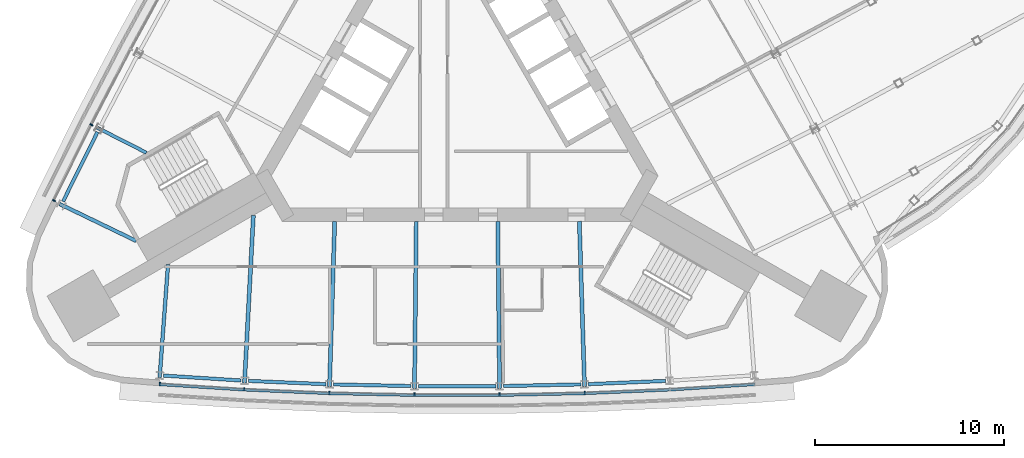
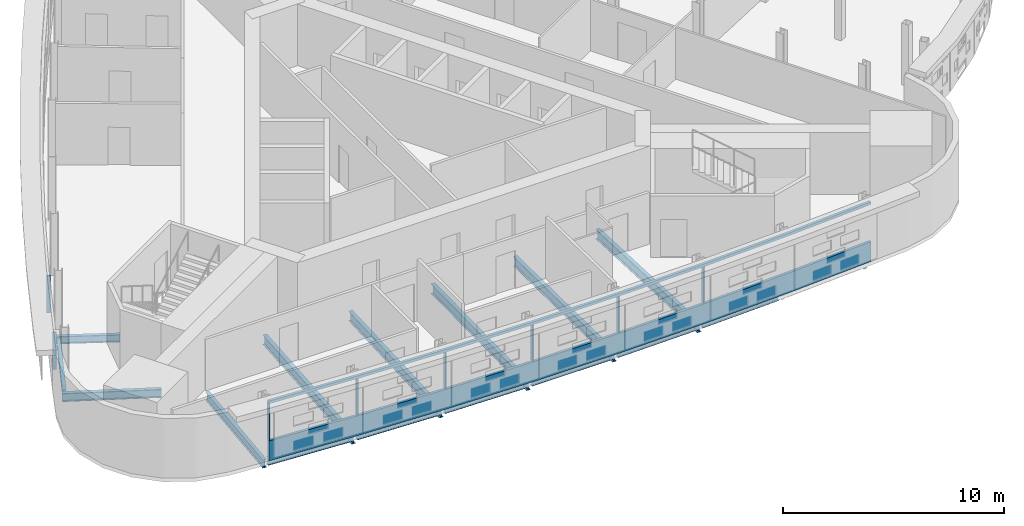
# One storey, part 4 of 15: 15 beams, 10 members, 2 elements without a shape of their own.
"""IFC4 building model written with IfcOpenShell, lengths in metres."""

from ifc_helpers import new_model, si_unit, direction, frame, origin, origin_2d, place, context, subcontext, project, spatial, polyline, rectangle, i_section, outline, extrude, material, material_profile, profile_set, type_object, element, aggregate, save


model = new_model("IFC4")

# Units and contexts
model_context = context("Model", 3, precision=1e-05, world=origin(), true_north=direction((0.0, 1.0)))
body_context = subcontext(model_context, "Body", "Model", "MODEL_VIEW")
ifc_project = project(units=[si_unit("LENGTHUNIT", "METRE"), si_unit("AREAUNIT", "SQUARE_METRE"), si_unit("VOLUMEUNIT", "CUBIC_METRE"), si_unit("PLANEANGLEUNIT", "RADIAN"), si_unit("MASSUNIT", "GRAM", prefix="KILO")], contexts=[model_context])

# Site, building, storey
site_placement = place(None, origin())
site = spatial("IfcSite", under=ifc_project, at=site_placement, CompositionType="ELEMENT")
building_placement = place(site_placement, origin())
building = spatial("IfcBuilding", under=site, at=building_placement, Name="Noor Cloister Tower", CompositionType="ELEMENT")
storey_placement = place(building_placement, frame((0.0, 0.0, 177.89990234375)))
storey = spatial("IfcBuildingStorey", under=building, at=storey_placement, Name="L45", CompositionType="ELEMENT", Elevation=177.89990234375)

# Curtain wall, member
ifc_material_1 = material(Name="Aluminium 6063-T6 anodised", Category="aluminium")
curtain_wall_type = type_object("IfcCurtainWallType", Name="Ribbon curtain wall, upper tower CW5", PredefinedType="NOTDEFINED", material=ifc_material_1)
curtain_wall_1_placement = place(storey_placement, origin())
curtain_wall_1 = element("IfcCurtainWall", 1, at=curtain_wall_1_placement, inside=storey, type_object=curtain_wall_type, Name="CW5 L45 S run 2", PredefinedType="NOTDEFINED")
ifc_material_2 = material(Name="Aluminium 6063-T6 anodised", Category="aluminium")
member_type_1 = type_object("IfcMemberType", Name="Head transom CW5 150", PredefinedType="USERDEFINED", material=ifc_material_2)
member_1_placement = place(storey_placement, frame((0.0, 0.0, 3.150146484375)))
member_1 = element("IfcMember", 2, at=member_1_placement, type_object=member_type_1, Name="CW5 head transom", ObjectType="TRANSOM", PredefinedType="USERDEFINED", context=body_context, shape_type="SweptSolid", body=[
    extrude(outline(polyline([(-15.735595703125, -15.611572265625), (-11.24462890625, -15.8974609375), (-6.748779296875, -16.087890625), (-2.25, -16.183349609375), (2.25, -16.183349609375), (6.748779296875, -16.087890625), (11.24462890625, -15.8974609375), (15.735595703125, -15.611572265625), (15.726806640625, -15.471923828125), (11.2373046875, -15.757568359375), (6.744384765625, -15.947998046875), (2.24853515625, -16.043212890625), (-2.24853515625, -16.043212890625), (-6.744384765625, -15.947998046875), (-11.2373046875, -15.757568359375), (-15.726806640625, -15.471923828125), (-15.735595703125, -15.611572265625)])), origin(), (0.0, 0.0, 1.0), 0.14990234375),
])

# Curtain wall, members
curtain_wall_2_placement = place(storey_placement, origin())
curtain_wall_2 = element("IfcCurtainWall", 3, at=curtain_wall_2_placement, inside=storey, type_object=curtain_wall_type, Name="CW5 L45 NW run 1", PredefinedType="NOTDEFINED")
ifc_material_3 = material(Name="Aluminium 6063-T6 anodised", Category="aluminium")
ifc_material_profile_1 = material_profile(ifc_material_3, rectangle(XDim=0.179931640625, YDim=0.070068359375, at=origin_2d()), Name="180 x 70 mullion")
ifc_profile_set_1 = profile_set([ifc_material_profile_1], Name="Aluminium 6063-T6 anodised")
member_type_2 = type_object("IfcMemberType", Name="Mullion CW5 70 x 180", PredefinedType="MULLION", material=ifc_profile_set_1)
member_2_placement = place(storey_placement, frame((-19.30078125, -1.8349609375, 1.10009765625), z_axis=(0.0, 0.0, 1.0), x_axis=(0.891276079341, -0.45346107925, 0.0)))
member_2 = element("IfcMember", 4, at=member_2_placement, type_object=member_type_2, Name="CW5 mullion 7", PredefinedType="MULLION", context=body_context, shape_type="SweptSolid", body=[
    extrude(rectangle(XDim=0.179931640625, YDim=0.070068359375, at=origin_2d()), origin(), (0.0, 0.0, 1.0), 2.050048828125),
])
member_3_placement = place(storey_placement, frame((-21.28271484375, -5.834716796875, 1.10009765625), z_axis=(0.0, 0.0, 1.0), x_axis=(0.89602851952, -0.44399650022, 0.0)))
member_3 = element("IfcMember", 5, at=member_3_placement, type_object=member_type_2, Name="CW5 mullion 8", PredefinedType="MULLION", context=body_context, shape_type="SweptSolid", body=[
    extrude(rectangle(XDim=0.179931640625, YDim=0.070068359375, at=origin_2d()), origin(), (0.0, 0.0, 1.0), 2.050048828125),
])
aggregate(curtain_wall_2, [member_2, member_3])

# Member
member_4_placement = place(storey_placement, frame((-15.6943359375, -15.51416015625, 1.10009765625), z_axis=(0.0, 0.0, 1.0), x_axis=(0.063502011378, 0.997981710529, 0.0)))
member_4 = element("IfcMember", 6, at=member_4_placement, type_object=member_type_2, Name="CW5 mullion 1", PredefinedType="MULLION", context=body_context, shape_type="SweptSolid", body=[
    extrude(rectangle(XDim=0.179931640625, YDim=0.070068359375, at=origin_2d()), origin(), (0.0, 0.0, 1.0), 2.050048828125),
])

member_5_placement = place(storey_placement, frame((-11.239501953125, -15.797607421875, 1.10009765625), z_axis=(0.0, 0.0, 1.0), x_axis=(0.052929225413, 0.99859826612, 0.0)))
member_5 = element("IfcMember", 7, at=member_5_placement, type_object=member_type_2, Name="CW5 mullion 2", PredefinedType="MULLION", context=body_context, shape_type="SweptSolid", body=[
    extrude(rectangle(XDim=0.179931640625, YDim=0.070068359375, at=origin_2d()), origin(), (0.0, 0.0, 1.0), 2.050048828125),
])

member_6_placement = place(storey_placement, frame((-6.74560546875, -15.988037109375, 1.10009765625), z_axis=(0.0, 0.0, 1.0), x_axis=(0.031767047227, 0.999495299994, 0.0)))
member_6 = element("IfcMember", 8, at=member_6_placement, type_object=member_type_2, Name="CW5 mullion 3", PredefinedType="MULLION", context=body_context, shape_type="SweptSolid", body=[
    extrude(rectangle(XDim=0.179931640625, YDim=0.070068359375, at=origin_2d()), origin(), (0.0, 0.0, 1.0), 2.050048828125),
])

member_7_placement = place(storey_placement, frame((-2.248779296875, -16.083251953125, 1.10009765625), z_axis=(0.0, 0.0, 1.0), x_axis=(0.010590599542, 0.999943918028, 0.0)))
member_7 = element("IfcMember", 9, at=member_7_placement, type_object=member_type_2, Name="CW5 mullion 4", PredefinedType="MULLION", context=body_context, shape_type="SweptSolid", body=[
    extrude(rectangle(XDim=0.179931640625, YDim=0.070068359375, at=origin_2d()), origin(), (0.0, 0.0, 1.0), 2.050048828125),
])

member_8_placement = place(storey_placement, frame((2.248779296875, -16.083251953125, 1.10009765625), z_axis=(0.0, 0.0, 1.0), x_axis=(-0.010590599542, 0.999943918028, 0.0)))
member_8 = element("IfcMember", 10, at=member_8_placement, type_object=member_type_2, Name="CW5 mullion 5", PredefinedType="MULLION", context=body_context, shape_type="SweptSolid", body=[
    extrude(rectangle(XDim=0.179931640625, YDim=0.070068359375, at=origin_2d()), origin(), (0.0, 0.0, 1.0), 2.050048828125),
])

member_9_placement = place(storey_placement, frame((6.74560546875, -15.988037109375, 1.10009765625), z_axis=(0.0, 0.0, 1.0), x_axis=(-0.031767047227, 0.999495299994, 0.0)))
member_9 = element("IfcMember", 11, at=member_9_placement, type_object=member_type_2, Name="CW5 mullion 6", PredefinedType="MULLION", context=body_context, shape_type="SweptSolid", body=[
    extrude(rectangle(XDim=0.179931640625, YDim=0.070068359375, at=origin_2d()), origin(), (0.0, 0.0, 1.0), 2.050048828125),
])

# Beams
ifc_material_4 = material(Name="Steel ASTM A992 Gr 50", Category="steel")
ifc_material_profile_2 = material_profile(ifc_material_4, i_section(OverallWidth=0.177978515625, OverallDepth=0.406005859375, WebThickness=0.0078125, FlangeThickness=0.0126953125, FilletRadius=0.01025390625, at=origin_2d()), Name="W410x60")
ifc_profile_set_2 = profile_set([ifc_material_profile_2], Name="Steel ASTM A992 Gr 50")
beam_type_1 = type_object("IfcBeamType", Name="Radial beam W410x60", PredefinedType="BEAM", material=ifc_profile_set_2)
beam_1_placement = place(storey_placement, frame((-18.99951171875, -1.988037109375, -0.40283203125), z_axis=(0.891237027529, -0.453537827267, 0.0), x_axis=(0.453537827267, 0.891237027529, 0.0)))
element("IfcBeam", 12, at=beam_1_placement, inside=storey, type_object=beam_type_1, Name="Radial beam NW 07 L45", PredefinedType="BEAM", context=body_context, shape_type="SweptSolid", body=[
    extrude(i_section(OverallWidth=0.177978515625, OverallDepth=0.406005859375, WebThickness=0.0078125, FlangeThickness=0.0126953125, FilletRadius=0.01025390625, at=origin_2d()), origin(), (0.0, 0.0, 1.0), 2.913330078125),
])
ifc_material_5 = material(Name="Steel ASTM A992 Gr 50", Category="steel")
ifc_material_profile_3 = material_profile(ifc_material_5, i_section(OverallWidth=0.19091796875, OverallDepth=0.45703125, WebThickness=0.009033203125, FlangeThickness=0.014404296875, FilletRadius=0.01025390625, at=origin_2d()), Name="W460x74")
ifc_profile_set_3 = profile_set([ifc_material_profile_3], Name="Steel ASTM A992 Gr 50")
beam_type_2 = type_object("IfcBeamType", Name="Radial beam W460x74", PredefinedType="BEAM", material=ifc_profile_set_3)
beam_2_placement = place(storey_placement, frame((-20.993408203125, -6.011962890625, -0.428466796875), z_axis=(0.900690144497, -0.434462039315, 0.0), x_axis=(0.434462039315, 0.900690144497, 0.0)))
element("IfcBeam", 13, at=beam_2_placement, inside=storey, type_object=beam_type_2, Name="Radial beam NW 08 L45", PredefinedType="BEAM", context=body_context, shape_type="SweptSolid", body=[
    extrude(i_section(OverallWidth=0.19091796875, OverallDepth=0.45703125, WebThickness=0.009033203125, FlangeThickness=0.014404296875, FilletRadius=0.01025390625, at=origin_2d()), origin(), (0.0, 0.0, 1.0), 4.49609375),
])
beam_3_placement = place(storey_placement, frame((-15.703125, -15.1748046875, -0.428466796875), z_axis=(0.074062786388, 0.997253580426, 0.0), x_axis=(-0.997253580426, 0.074062786388, 0.0)))
element("IfcBeam", 14, at=beam_3_placement, inside=storey, type_object=beam_type_2, Name="Radial beam S 01 L45", PredefinedType="BEAM", context=body_context, shape_type="SweptSolid", body=[
    extrude(i_section(OverallWidth=0.19091796875, OverallDepth=0.45703125, WebThickness=0.009033203125, FlangeThickness=0.014404296875, FilletRadius=0.01025390625, at=origin_2d()), origin(), (0.0, 0.0, 1.0), 5.976318359375),
])
ifc_material_6 = material(Name="Steel ASTM A992 Gr 50", Category="steel")
ifc_material_profile_4 = material_profile(ifc_material_6, i_section(OverallWidth=0.208984375, OverallDepth=0.532958984375, WebThickness=0.01025390625, FlangeThickness=0.015625, FilletRadius=0.0126953125, at=origin_2d()), Name="W530x92")
ifc_profile_set_4 = profile_set([ifc_material_profile_4], Name="Steel ASTM A992 Gr 50")
beam_type_3 = type_object("IfcBeamType", Name="Radial beam W530x92", PredefinedType="BEAM", material=ifc_profile_set_4)
beam_4_placement = place(storey_placement, frame((-11.2216796875, -15.4599609375, -0.46630859375), z_axis=(0.052931955279, 0.998598121423, 0.0), x_axis=(-0.998598121423, 0.052931955279, 0.0)))
element("IfcBeam", 15, at=beam_4_placement, inside=storey, type_object=beam_type_3, Name="Radial beam S 02 L45", PredefinedType="BEAM", context=body_context, shape_type="SweptSolid", body=[
    extrude(i_section(OverallWidth=0.208984375, OverallDepth=0.532958984375, WebThickness=0.01025390625, FlangeThickness=0.015625, FilletRadius=0.0126953125, at=origin_2d()), origin(), (0.0, 0.0, 1.0), 8.8603515625),
])
beam_5_placement = place(storey_placement, frame((-6.73486328125, -15.650146484375, -0.46630859375), z_axis=(0.031754447024, 0.999495700388, 0.0), x_axis=(-0.999495700388, 0.031754447024, 0.0)))
element("IfcBeam", 16, at=beam_5_placement, inside=storey, type_object=beam_type_3, Name="Radial beam S 03 L45", PredefinedType="BEAM", context=body_context, shape_type="SweptSolid", body=[
    extrude(i_section(OverallWidth=0.208984375, OverallDepth=0.532958984375, WebThickness=0.01025390625, FlangeThickness=0.015625, FilletRadius=0.0126953125, at=origin_2d()), origin(), (0.0, 0.0, 1.0), 8.726318359375),
])
for number, where, z_axis, x_axis, name in (
    (17, (-2.245361328125, -15.745361328125, -0.46630859375), (0.010604415465, 0.999943771606, 0.0), (-0.999943771606, 0.010604415465, 0.0), "Radial beam S 04 L45"),
    (18, (2.245361328125, -15.745361328125, -0.46630859375), (-0.010604415465, 0.999943771606, 0.0), (-0.999943771606, -0.010604415465, 0.0), "Radial beam S 05 L45"),
):
    element("IfcBeam", number, at=place(storey_placement, frame(where, z_axis=z_axis, x_axis=x_axis)), inside=storey, type_object=beam_type_3, Name=name, PredefinedType="BEAM", context=body_context, shape_type="SweptSolid", body=[
        extrude(i_section(OverallWidth=0.208984375, OverallDepth=0.532958984375, WebThickness=0.01025390625, FlangeThickness=0.015625, FilletRadius=0.0126953125, at=origin_2d()), origin(), (0.0, 0.0, 1.0), 8.817626953125),
    ])
beam_6_placement = place(storey_placement, frame((6.73486328125, -15.650146484375, -0.46630859375), z_axis=(-0.031754447024, 0.999495700388, 0.0), x_axis=(-0.999495700388, -0.031754447024, 0.0)))
element("IfcBeam", 19, at=beam_6_placement, inside=storey, type_object=beam_type_3, Name="Radial beam S 06 L45", PredefinedType="BEAM", context=body_context, shape_type="SweptSolid", body=[
    extrude(i_section(OverallWidth=0.208984375, OverallDepth=0.532958984375, WebThickness=0.01025390625, FlangeThickness=0.015625, FilletRadius=0.0126953125, at=origin_2d()), origin(), (0.0, 0.0, 1.0), 8.726318359375),
])

# Member
ifc_material_7 = material(Name="Aluminium 6063-T6 anodised", Category="aluminium")
member_type_3 = type_object("IfcMemberType", Name="Sill transom CW5 1100", PredefinedType="USERDEFINED", material=ifc_material_7)
member_10_placement = place(storey_placement, origin())
member_10 = element("IfcMember", 20, at=member_10_placement, type_object=member_type_3, Name="CW5 sill transom", ObjectType="TRANSOM", PredefinedType="USERDEFINED", context=body_context, shape_type="SweptSolid", body=[
    extrude(outline(polyline([(-15.735595703125, -15.611572265625), (-11.24462890625, -15.8974609375), (-6.748779296875, -16.087890625), (-2.25, -16.183349609375), (2.25, -16.183349609375), (6.748779296875, -16.087890625), (11.24462890625, -15.8974609375), (15.735595703125, -15.611572265625), (15.726806640625, -15.471923828125), (11.2373046875, -15.757568359375), (6.744384765625, -15.947998046875), (2.24853515625, -16.043212890625), (-2.24853515625, -16.043212890625), (-6.744384765625, -15.947998046875), (-11.2373046875, -15.757568359375), (-15.726806640625, -15.471923828125), (-15.735595703125, -15.611572265625)])), origin(), (0.0, 0.0, 1.0), 1.10009765625),
])

aggregate(curtain_wall_1, [member_4, member_5, member_6, member_7, member_8, member_9, member_10, member_1])

# Beams
ifc_material_8 = material(Name="Steel ASTM A992 Gr 50", Category="steel")
ifc_material_profile_5 = material_profile(ifc_material_8, i_section(OverallWidth=0.177978515625, OverallDepth=0.406005859375, WebThickness=0.0078125, FlangeThickness=0.0126953125, FilletRadius=0.01025390625, at=origin_2d()), Name="W410x60")
ifc_profile_set_5 = profile_set([ifc_material_profile_5], Name="Steel ASTM A992 Gr 50")
beam_type_4 = type_object("IfcBeamType", Name="Spandrel beam W410x60", PredefinedType="SPANDREL", material=ifc_profile_set_5)
for number, where, z_axis, x_axis, name in (
    (21, (-18.987060546875, -2.215576171875, -0.40283203125), (-0.444014503497, -0.896019598382, 0.0), (0.896019598382, -0.444014503497, 0.0), "Spandrel beam NW 07 L45"),
    (22, (-15.498291015625, -15.07568359375, -0.40283203125), (0.99798140433, -0.063506823352, 0.0), (0.063506823352, 0.99798140433, 0.0), "Spandrel beam S 01 L45"),
    (23, (-11.018798828125, -15.3564453125, -0.40283203125), (0.999103369662, -0.042337415247, 0.0), (0.042337415247, 0.999103369662, 0.0), "Spandrel beam S 02 L45"),
    (24, (-6.534423828125, -15.54248046875, -0.40283203125), (0.999775910356, -0.021169059297, 0.0), (0.021169059297, 0.999775910356, 0.0), "Spandrel beam S 03 L45"),
    (25, (-2.047119140625, -15.63330078125, -0.40283203125), (1.0, 0.0, 0.0), (0.0, 1.0, 0.0), "Spandrel beam S 04 L45"),
    (26, (2.441162109375, -15.629150390625, -0.40283203125), (0.999775910356, 0.021169059297, 0.0), (-0.021169059297, 0.999775910356, 0.0), "Spandrel beam S 05 L45"),
    (27, (6.92822265625, -15.52978515625, -0.40283203125), (0.999103369662, 0.042337415247, 0.0), (-0.042337415247, 0.999103369662, 0.0), "Spandrel beam S 06 L45"),
):
    element("IfcBeam", number, at=place(storey_placement, frame(where, z_axis=z_axis, x_axis=x_axis)), inside=storey, type_object=beam_type_4, Name=name, PredefinedType="SPANDREL", context=body_context, shape_type="SweptSolid", body=[
        extrude(i_section(OverallWidth=0.177978515625, OverallDepth=0.406005859375, WebThickness=0.0078125, FlangeThickness=0.0126953125, FilletRadius=0.01025390625, at=origin_2d()), origin(), (0.0, 0.0, 1.0), 4.09423828125),
    ])

save(model, "model.ifc")
